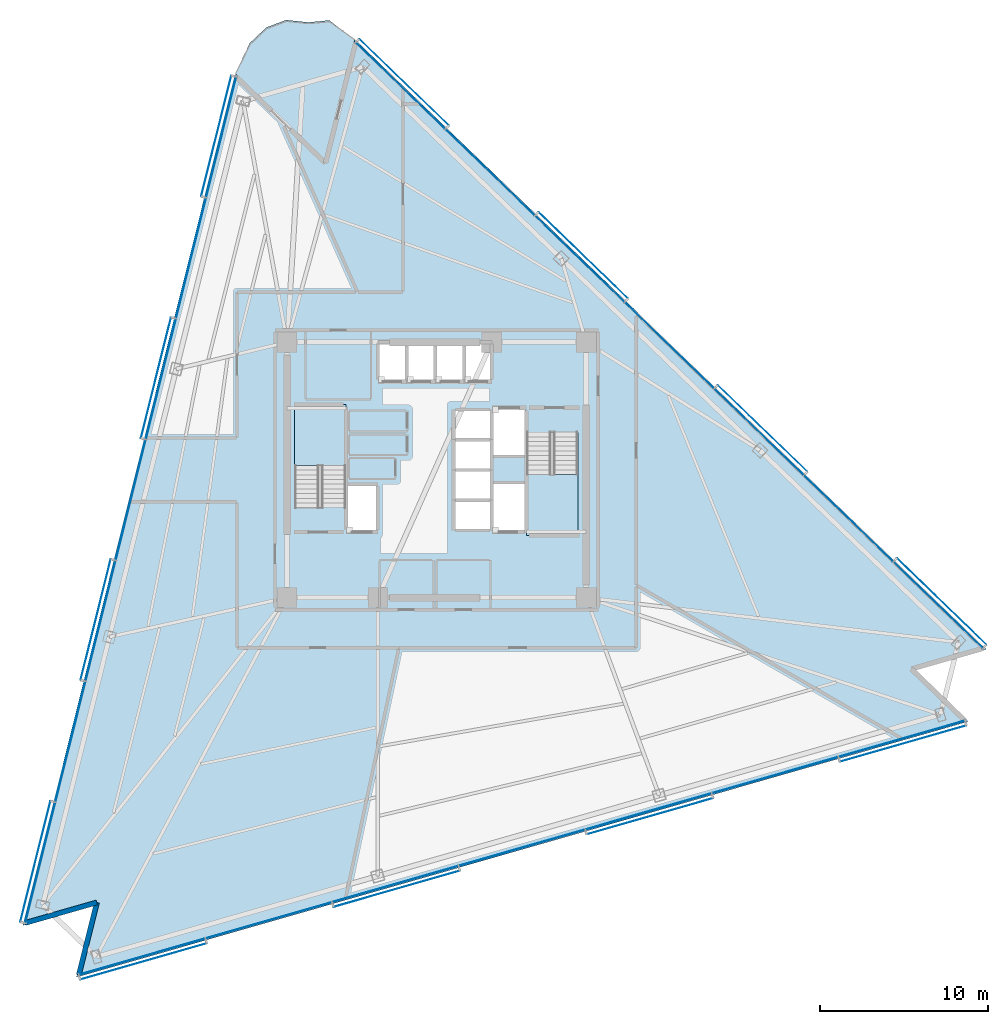
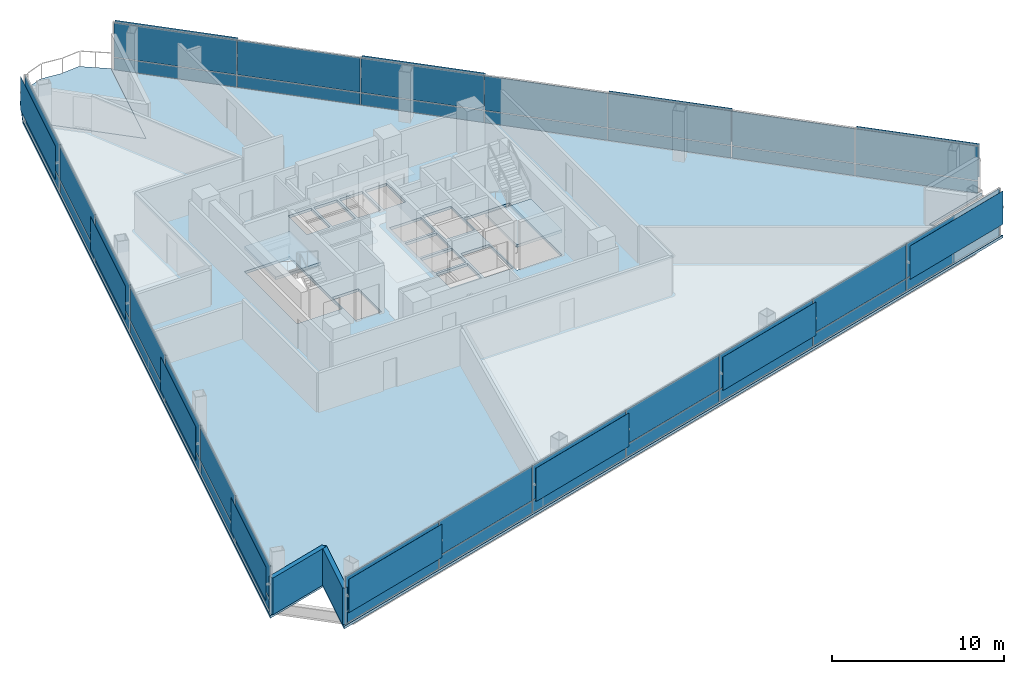
# One storey, part 8 of 16: 54 plates, 4 slabs, 2 walls, 5 elements without a shape of their own.
"""IFC4 building model written with IfcOpenShell, lengths in metres."""

from ifc_helpers import new_model, si_unit, direction, frame, frame_2d, origin, origin_2d, place, context, subcontext, project, spatial, polyline, rectangle, outline, extrude, material, layer, layer_set, type_object, element, aggregate, save


model = new_model("IFC4")

# Units and contexts
model_context = context("Model", 3, precision=1e-05, world=origin(), true_north=direction((0.0, 1.0)))
body_context = subcontext(model_context, "Body", "Model", "MODEL_VIEW")
ifc_project = project(units=[si_unit("LENGTHUNIT", "METRE"), si_unit("AREAUNIT", "SQUARE_METRE"), si_unit("VOLUMEUNIT", "CUBIC_METRE"), si_unit("PLANEANGLEUNIT", "RADIAN"), si_unit("MASSUNIT", "GRAM", prefix="KILO")], contexts=[model_context])

# Site, building, storey
site_placement = place(None, origin())
site = spatial("IfcSite", under=ifc_project, at=site_placement, CompositionType="ELEMENT")
building_placement = place(site_placement, origin())
building = spatial("IfcBuilding", under=site, at=building_placement, Name="Tharavind Bronze Gate", CompositionType="ELEMENT")
storey_placement = place(building_placement, frame((0.0, 0.0, 104.10009765625)))
storey = spatial("IfcBuildingStorey", under=building, at=storey_placement, Name="L26", CompositionType="ELEMENT", Elevation=104.10009765625)

# Plates
ifc_material_1 = material(Name="Perforated Bronze Alloy", Category="bronze")
ifc_layer_1 = layer(ifc_material_1, 0.011962890625)
ifc_layer_set_1 = layer_set([ifc_layer_1], Name="Perforated Bronze Alloy")
plate_type_1 = type_object("IfcPlateType", Name="BRONZE PERFORATED SOLAR SCREEN", PredefinedType="USERDEFINED", material=ifc_layer_set_1)
for number, where, z_axis, x_axis, name in (
    (1, (-13.11669921875, 19.86865234375, 0.96630859375), (0.0, 0.0, 1.0), (-0.2419218956, -0.970295726276, 0.0), "CW-L26-S1 perforated bronze solar screen 1"),
    (2, (-16.7041015625, 5.480712890625, 0.96630859375), (0.0, 0.0, 1.0), (-0.2419218956, -0.970295726276, 0.0), "CW-L26-S1 perforated bronze solar screen 3"),
    (3, (-20.29150390625, -8.9072265625, 0.96630859375), (0.0, 0.0, 1.0), (-0.2419218956, -0.970295726276, 0.0), "CW-L26-S1 perforated bronze solar screen 5"),
    (4, (-23.878662109375, -23.295166015625, 0.96630859375), (0.0, 0.0, 1.0), (-0.2419218956, -0.970295726276, 0.0), "CW-L26-S1 perforated bronze solar screen 7"),
):
    element("IfcPlate", number, at=place(storey_placement, frame(where, z_axis=z_axis, x_axis=x_axis)), inside=storey, type_object=plate_type_1, Name=name, ObjectType="SCREEN", PredefinedType="USERDEFINED", context=body_context, shape_type="SweptSolid", body=[
        extrude(rectangle(XDim=7.394287109375, YDim=0.011962890625, at=origin_2d()), origin(), (0.0, 0.0, 1.0), 2.376953125),
    ])
for number, where, z_axis, x_axis, name in (
    (5, (-17.447509765625, -29.251220703125, 0.96630859375), (0.0, 0.0, 1.0), (0.961261695938, 0.275637355817, 0.0), "CW-L26-S2 perforated bronze solar screen 1"),
    (6, (-2.380615234375, -24.930908203125, 0.96630859375), (0.0, 0.0, 1.0), (0.961261695938, 0.275637355817, 0.0), "CW-L26-S2 perforated bronze solar screen 3"),
    (7, (12.686279296875, -20.610595703125, 0.96630859375), (0.0, 0.0, 1.0), (0.961261695938, 0.275637355817, 0.0), "CW-L26-S2 perforated bronze solar screen 5"),
    (8, (27.75341796875, -16.290283203125, 0.96630859375), (0.0, 0.0, 1.0), (0.961261695938, 0.275637355817, 0.0), "CW-L26-S2 perforated bronze solar screen 7"),
):
    element("IfcPlate", number, at=place(storey_placement, frame(where, z_axis=z_axis, x_axis=x_axis)), inside=storey, type_object=plate_type_1, Name=name, ObjectType="SCREEN", PredefinedType="USERDEFINED", context=body_context, shape_type="SweptSolid", body=[
        extrude(rectangle(XDim=7.817138671875, YDim=0.011962890625, at=origin_2d()), origin(), (0.0, 0.0, 1.0), 2.376953125),
    ])
for number, where, z_axis, x_axis, name in (
    (9, (30.05126953125, -7.8310546875, 0.96630859375), (0.0, 0.0, 1.0), (-0.719341012745, 0.694657114973, 0.0), "CW-L26-S3 perforated bronze solar screen 1"),
    (10, (19.384521484375, 2.469482421875, 0.96630859375), (0.0, 0.0, 1.0), (-0.719341012745, 0.694657114973, 0.0), "CW-L26-S3 perforated bronze solar screen 3"),
    (11, (8.718017578125, 12.770263671875, 0.96630859375), (0.0, 0.0, 1.0), (-0.719341012745, 0.694657114973, 0.0), "CW-L26-S3 perforated bronze solar screen 5"),
    (12, (-1.94873046875, 23.07080078125, 0.96630859375), (0.0, 0.0, 1.0), (-0.719341012745, 0.694657114973, 0.0), "CW-L26-S3 perforated bronze solar screen 7"),
):
    element("IfcPlate", number, at=place(storey_placement, frame(where, z_axis=z_axis, x_axis=x_axis)), inside=storey, type_object=plate_type_1, Name=name, ObjectType="SCREEN", PredefinedType="USERDEFINED", context=body_context, shape_type="SweptSolid", body=[
        extrude(rectangle(XDim=7.394287109375, YDim=0.011962890625, at=origin_2d()), origin(), (0.0, 0.0, 1.0), 2.376953125),
    ])

# Curtain wall, plates
ifc_material_2 = material(Name="Anodised Bronze Aluminium", Category="aluminium")
ifc_layer_2 = layer(ifc_material_2, 0.219970703125)
ifc_layer_set_2 = layer_set([ifc_layer_2], Name="Anodised Bronze Aluminium")
curtain_wall_type = type_object("IfcCurtainWallType", Name="UNITISED CURTAIN WALL LOWER OFFICE", PredefinedType="USERDEFINED", material=ifc_layer_set_2)
curtain_wall_1_placement = place(storey_placement, origin())
curtain_wall_1 = element("IfcCurtainWall", 13, at=curtain_wall_1_placement, inside=storey, type_object=curtain_wall_type, Name="L26 unitised curtain wall lower office CW-L26-S1", ObjectType="UNITISED CURTAIN WALL", PredefinedType="USERDEFINED")
ifc_material_3 = material(Name="Patinated Bronze Alloy Sheet", Category="bronze")
ifc_layer_3 = layer(ifc_material_3, 0.01611328125)
ifc_layer_set_3 = layer_set([ifc_layer_3], Name="Patinated Bronze Alloy Sheet")
plate_type_2 = type_object("IfcPlateType", Name="BRONZE SPANDREL CLADDING PANEL 16", PredefinedType="CURTAIN_PANEL", material=ifc_layer_set_3)
plate_1_placement = place(storey_placement, frame((-12.83056640625, 19.797119140625, 0.0263671875), z_axis=(0.0, 0.0, 1.0), x_axis=(-0.2419218956, -0.970295726276, 0.0)))
plate_1 = element("IfcPlate", 14, at=plate_1_placement, type_object=plate_type_2, Name="CW-L26-S1 bronze spandrel panel 1", PredefinedType="CURTAIN_PANEL", context=body_context, shape_type="SweptSolid", body=[
    extrude(rectangle(XDim=7.361083984375, YDim=0.01611328125, at=origin_2d()), origin(), (0.0, 0.0, 1.0), 0.846923828125),
])
plate_2_placement = place(storey_placement, frame((-14.624267578125, 12.603271484375, 0.0263671875), z_axis=(0.0, 0.0, 1.0), x_axis=(-0.2419218956, -0.970295726276, 0.0)))
plate_2 = element("IfcPlate", 15, at=plate_2_placement, type_object=plate_type_2, Name="CW-L26-S1 bronze spandrel panel 2", PredefinedType="CURTAIN_PANEL", context=body_context, shape_type="SweptSolid", body=[
    extrude(rectangle(XDim=7.361083984375, YDim=0.01611328125, at=origin_2d()), origin(), (0.0, 0.0, 1.0), 0.846923828125),
])
plate_3_placement = place(storey_placement, frame((-16.417724609375, 5.4091796875, 0.0263671875), z_axis=(0.0, 0.0, 1.0), x_axis=(-0.2419218956, -0.970295726276, 0.0)))
plate_3 = element("IfcPlate", 16, at=plate_3_placement, type_object=plate_type_2, Name="CW-L26-S1 bronze spandrel panel 3", PredefinedType="CURTAIN_PANEL", context=body_context, shape_type="SweptSolid", body=[
    extrude(rectangle(XDim=7.361083984375, YDim=0.01611328125, at=origin_2d()), origin(), (0.0, 0.0, 1.0), 0.846923828125),
])
plate_4_placement = place(storey_placement, frame((-18.21142578125, -1.78466796875, 0.0263671875), z_axis=(0.0, 0.0, 1.0), x_axis=(-0.2419218956, -0.970295726276, 0.0)))
plate_4 = element("IfcPlate", 17, at=plate_4_placement, type_object=plate_type_2, Name="CW-L26-S1 bronze spandrel panel 4", PredefinedType="CURTAIN_PANEL", context=body_context, shape_type="SweptSolid", body=[
    extrude(rectangle(XDim=7.361083984375, YDim=0.01611328125, at=origin_2d()), origin(), (0.0, 0.0, 1.0), 0.846923828125),
])
plate_5_placement = place(storey_placement, frame((-20.005126953125, -8.978759765625, 0.0263671875), z_axis=(0.0, 0.0, 1.0), x_axis=(-0.2419218956, -0.970295726276, 0.0)))
plate_5 = element("IfcPlate", 18, at=plate_5_placement, type_object=plate_type_2, Name="CW-L26-S1 bronze spandrel panel 5", PredefinedType="CURTAIN_PANEL", context=body_context, shape_type="SweptSolid", body=[
    extrude(rectangle(XDim=7.361083984375, YDim=0.01611328125, at=origin_2d()), origin(), (0.0, 0.0, 1.0), 0.846923828125),
])
plate_6_placement = place(storey_placement, frame((-21.798828125, -16.172607421875, 0.0263671875), z_axis=(0.0, 0.0, 1.0), x_axis=(-0.2419218956, -0.970295726276, 0.0)))
plate_6 = element("IfcPlate", 19, at=plate_6_placement, type_object=plate_type_2, Name="CW-L26-S1 bronze spandrel panel 6", PredefinedType="CURTAIN_PANEL", context=body_context, shape_type="SweptSolid", body=[
    extrude(rectangle(XDim=7.361083984375, YDim=0.01611328125, at=origin_2d()), origin(), (0.0, 0.0, 1.0), 0.846923828125),
])
plate_7_placement = place(storey_placement, frame((-23.592529296875, -23.36669921875, 0.0263671875), z_axis=(0.0, 0.0, 1.0), x_axis=(-0.2419218956, -0.970295726276, 0.0)))
plate_7 = element("IfcPlate", 20, at=plate_7_placement, type_object=plate_type_2, Name="CW-L26-S1 bronze spandrel panel 7", PredefinedType="CURTAIN_PANEL", context=body_context, shape_type="SweptSolid", body=[
    extrude(rectangle(XDim=7.361083984375, YDim=0.01611328125, at=origin_2d()), origin(), (0.0, 0.0, 1.0), 0.846923828125),
])

curtain_wall_2_placement = place(storey_placement, origin())
curtain_wall_2 = element("IfcCurtainWall", 21, at=curtain_wall_2_placement, inside=storey, type_object=curtain_wall_type, Name="L26 unitised curtain wall lower office CW-L26-S2", ObjectType="UNITISED CURTAIN WALL", PredefinedType="USERDEFINED")
plate_8_placement = place(storey_placement, frame((-17.52880859375, -28.9677734375, 0.0263671875), z_axis=(0.0, 0.0, 1.0), x_axis=(0.961261695938, 0.275637355817, 0.0)))
plate_8 = element("IfcPlate", 22, at=plate_8_placement, type_object=plate_type_2, Name="CW-L26-S2 bronze spandrel panel 1", PredefinedType="CURTAIN_PANEL", context=body_context, shape_type="SweptSolid", body=[
    extrude(rectangle(XDim=7.7841796875, YDim=0.01611328125, at=origin_2d()), origin(), (0.0, 0.0, 1.0), 0.846923828125),
])
plate_9_placement = place(storey_placement, frame((-9.995361328125, -26.8076171875, 0.0263671875), z_axis=(0.0, 0.0, 1.0), x_axis=(0.961261695938, 0.275637355817, 0.0)))
plate_9 = element("IfcPlate", 23, at=plate_9_placement, type_object=plate_type_2, Name="CW-L26-S2 bronze spandrel panel 2", PredefinedType="CURTAIN_PANEL", context=body_context, shape_type="SweptSolid", body=[
    extrude(rectangle(XDim=7.7841796875, YDim=0.01611328125, at=origin_2d()), origin(), (0.0, 0.0, 1.0), 0.846923828125),
])
plate_10_placement = place(storey_placement, frame((-2.4619140625, -24.647216796875, 0.0263671875), z_axis=(0.0, 0.0, 1.0), x_axis=(0.961261695938, 0.275637355817, 0.0)))
plate_10 = element("IfcPlate", 24, at=plate_10_placement, type_object=plate_type_2, Name="CW-L26-S2 bronze spandrel panel 3", PredefinedType="CURTAIN_PANEL", context=body_context, shape_type="SweptSolid", body=[
    extrude(rectangle(XDim=7.7841796875, YDim=0.01611328125, at=origin_2d()), origin(), (0.0, 0.0, 1.0), 0.846923828125),
])
plate_11_placement = place(storey_placement, frame((5.07177734375, -22.487060546875, 0.0263671875), z_axis=(0.0, 0.0, 1.0), x_axis=(0.961261695938, 0.275637355817, 0.0)))
plate_11 = element("IfcPlate", 25, at=plate_11_placement, type_object=plate_type_2, Name="CW-L26-S2 bronze spandrel panel 4", PredefinedType="CURTAIN_PANEL", context=body_context, shape_type="SweptSolid", body=[
    extrude(rectangle(XDim=7.7841796875, YDim=0.01611328125, at=origin_2d()), origin(), (0.0, 0.0, 1.0), 0.846923828125),
])
plate_12_placement = place(storey_placement, frame((12.60498046875, -20.326904296875, 0.0263671875), z_axis=(0.0, 0.0, 1.0), x_axis=(0.961261695938, 0.275637355817, 0.0)))
plate_12 = element("IfcPlate", 26, at=plate_12_placement, type_object=plate_type_2, Name="CW-L26-S2 bronze spandrel panel 5", PredefinedType="CURTAIN_PANEL", context=body_context, shape_type="SweptSolid", body=[
    extrude(rectangle(XDim=7.7841796875, YDim=0.01611328125, at=origin_2d()), origin(), (0.0, 0.0, 1.0), 0.846923828125),
])
plate_13_placement = place(storey_placement, frame((20.138671875, -18.166748046875, 0.0263671875), z_axis=(0.0, 0.0, 1.0), x_axis=(0.961261695938, 0.275637355817, 0.0)))
plate_13 = element("IfcPlate", 27, at=plate_13_placement, type_object=plate_type_2, Name="CW-L26-S2 bronze spandrel panel 6", PredefinedType="CURTAIN_PANEL", context=body_context, shape_type="SweptSolid", body=[
    extrude(rectangle(XDim=7.7841796875, YDim=0.01611328125, at=origin_2d()), origin(), (0.0, 0.0, 1.0), 0.846923828125),
])
plate_14_placement = place(storey_placement, frame((27.672119140625, -16.006591796875, 0.0263671875), z_axis=(0.0, 0.0, 1.0), x_axis=(0.961261695938, 0.275637355817, 0.0)))
plate_14 = element("IfcPlate", 28, at=plate_14_placement, type_object=plate_type_2, Name="CW-L26-S2 bronze spandrel panel 7", PredefinedType="CURTAIN_PANEL", context=body_context, shape_type="SweptSolid", body=[
    extrude(rectangle(XDim=7.7841796875, YDim=0.01611328125, at=origin_2d()), origin(), (0.0, 0.0, 1.0), 0.846923828125),
])

curtain_wall_3_placement = place(storey_placement, origin())
curtain_wall_3 = element("IfcCurtainWall", 29, at=curtain_wall_3_placement, inside=storey, type_object=curtain_wall_type, Name="L26 unitised curtain wall lower office CW-L26-S3", ObjectType="UNITISED CURTAIN WALL", PredefinedType="USERDEFINED")
plate_15_placement = place(storey_placement, frame((29.84619140625, -8.043212890625, 0.0263671875), z_axis=(0.0, 0.0, 1.0), x_axis=(-0.719341012745, 0.694657114973, 0.0)))
plate_15 = element("IfcPlate", 30, at=plate_15_placement, type_object=plate_type_2, Name="CW-L26-S3 bronze spandrel panel 1", PredefinedType="CURTAIN_PANEL", context=body_context, shape_type="SweptSolid", body=[
    extrude(rectangle(XDim=7.361083984375, YDim=0.01611328125, at=origin_2d()), origin(), (0.0, 0.0, 1.0), 0.846923828125),
])
plate_16_placement = place(storey_placement, frame((24.512939453125, -2.892822265625, 0.0263671875), z_axis=(0.0, 0.0, 1.0), x_axis=(-0.719341012745, 0.694657114973, 0.0)))
plate_16 = element("IfcPlate", 31, at=plate_16_placement, type_object=plate_type_2, Name="CW-L26-S3 bronze spandrel panel 2", PredefinedType="CURTAIN_PANEL", context=body_context, shape_type="SweptSolid", body=[
    extrude(rectangle(XDim=7.361083984375, YDim=0.01611328125, at=origin_2d()), origin(), (0.0, 0.0, 1.0), 0.846923828125),
])
plate_17_placement = place(storey_placement, frame((19.1796875, 2.25732421875, 0.0263671875), z_axis=(0.0, 0.0, 1.0), x_axis=(-0.719341012745, 0.694657114973, 0.0)))
plate_17 = element("IfcPlate", 32, at=plate_17_placement, type_object=plate_type_2, Name="CW-L26-S3 bronze spandrel panel 3", PredefinedType="CURTAIN_PANEL", context=body_context, shape_type="SweptSolid", body=[
    extrude(rectangle(XDim=7.361083984375, YDim=0.01611328125, at=origin_2d()), origin(), (0.0, 0.0, 1.0), 0.846923828125),
])
plate_18_placement = place(storey_placement, frame((13.84619140625, 7.40771484375, 0.0263671875), z_axis=(0.0, 0.0, 1.0), x_axis=(-0.719341012745, 0.694657114973, 0.0)))
plate_18 = element("IfcPlate", 33, at=plate_18_placement, type_object=plate_type_2, Name="CW-L26-S3 bronze spandrel panel 4", PredefinedType="CURTAIN_PANEL", context=body_context, shape_type="SweptSolid", body=[
    extrude(rectangle(XDim=7.361083984375, YDim=0.01611328125, at=origin_2d()), origin(), (0.0, 0.0, 1.0), 0.846923828125),
])
plate_19_placement = place(storey_placement, frame((8.512939453125, 12.55810546875, 0.0263671875), z_axis=(0.0, 0.0, 1.0), x_axis=(-0.719341012745, 0.694657114973, 0.0)))
plate_19 = element("IfcPlate", 34, at=plate_19_placement, type_object=plate_type_2, Name="CW-L26-S3 bronze spandrel panel 5", PredefinedType="CURTAIN_PANEL", context=body_context, shape_type="SweptSolid", body=[
    extrude(rectangle(XDim=7.361083984375, YDim=0.01611328125, at=origin_2d()), origin(), (0.0, 0.0, 1.0), 0.846923828125),
])
plate_20_placement = place(storey_placement, frame((3.1796875, 17.70849609375, 0.0263671875), z_axis=(0.0, 0.0, 1.0), x_axis=(-0.719341012745, 0.694657114973, 0.0)))
plate_20 = element("IfcPlate", 35, at=plate_20_placement, type_object=plate_type_2, Name="CW-L26-S3 bronze spandrel panel 6", PredefinedType="CURTAIN_PANEL", context=body_context, shape_type="SweptSolid", body=[
    extrude(rectangle(XDim=7.361083984375, YDim=0.01611328125, at=origin_2d()), origin(), (0.0, 0.0, 1.0), 0.846923828125),
])
plate_21_placement = place(storey_placement, frame((-2.15380859375, 22.858642578125, 0.0263671875), z_axis=(0.0, 0.0, 1.0), x_axis=(-0.719341012745, 0.694657114973, 0.0)))
plate_21 = element("IfcPlate", 36, at=plate_21_placement, type_object=plate_type_2, Name="CW-L26-S3 bronze spandrel panel 7", PredefinedType="CURTAIN_PANEL", context=body_context, shape_type="SweptSolid", body=[
    extrude(rectangle(XDim=7.361083984375, YDim=0.01611328125, at=origin_2d()), origin(), (0.0, 0.0, 1.0), 0.846923828125),
])

# Plate
ifc_material_4 = material(Name="Low-E Double Glazing", Category="glass")
ifc_layer_4 = layer(ifc_material_4, 0.031982421875)
ifc_layer_set_4 = layer_set([ifc_layer_4], Name="Low-E Double Glazing")
plate_type_3 = type_object("IfcPlateType", Name="DOUBLE GLAZED FACADE PANEL 32", PredefinedType="CURTAIN_PANEL", material=ifc_layer_set_4)
plate_22_placement = place(storey_placement, frame((-12.83056640625, 19.797119140625, 0.92626953125), z_axis=(0.0, 0.0, 1.0), x_axis=(-0.2419218956, -0.970295726276, 0.0)))
plate_22 = element("IfcPlate", 37, at=plate_22_placement, type_object=plate_type_3, Name="CW-L26-S1 vision glazing panel 1", PredefinedType="CURTAIN_PANEL", context=body_context, shape_type="SweptSolid", body=[
    extrude(rectangle(XDim=7.361083984375, YDim=0.031982421875, at=origin_2d()), origin(), (0.0, 0.0, 1.0), 2.45703125),
])

plate_23_placement = place(storey_placement, frame((-14.624267578125, 12.603271484375, 0.92626953125), z_axis=(0.0, 0.0, 1.0), x_axis=(-0.2419218956, -0.970295726276, 0.0)))
plate_23 = element("IfcPlate", 38, at=plate_23_placement, type_object=plate_type_3, Name="CW-L26-S1 vision glazing panel 2", PredefinedType="CURTAIN_PANEL", context=body_context, shape_type="SweptSolid", body=[
    extrude(rectangle(XDim=7.361083984375, YDim=0.031982421875, at=origin_2d()), origin(), (0.0, 0.0, 1.0), 2.45703125),
])

plate_24_placement = place(storey_placement, frame((-16.417724609375, 5.4091796875, 0.92626953125), z_axis=(0.0, 0.0, 1.0), x_axis=(-0.2419218956, -0.970295726276, 0.0)))
plate_24 = element("IfcPlate", 39, at=plate_24_placement, type_object=plate_type_3, Name="CW-L26-S1 vision glazing panel 3", PredefinedType="CURTAIN_PANEL", context=body_context, shape_type="SweptSolid", body=[
    extrude(rectangle(XDim=7.361083984375, YDim=0.031982421875, at=origin_2d()), origin(), (0.0, 0.0, 1.0), 2.45703125),
])

plate_25_placement = place(storey_placement, frame((-18.21142578125, -1.78466796875, 0.92626953125), z_axis=(0.0, 0.0, 1.0), x_axis=(-0.2419218956, -0.970295726276, 0.0)))
plate_25 = element("IfcPlate", 40, at=plate_25_placement, type_object=plate_type_3, Name="CW-L26-S1 vision glazing panel 4", PredefinedType="CURTAIN_PANEL", context=body_context, shape_type="SweptSolid", body=[
    extrude(rectangle(XDim=7.361083984375, YDim=0.031982421875, at=origin_2d()), origin(), (0.0, 0.0, 1.0), 2.45703125),
])

plate_26_placement = place(storey_placement, frame((-20.005126953125, -8.978759765625, 0.92626953125), z_axis=(0.0, 0.0, 1.0), x_axis=(-0.2419218956, -0.970295726276, 0.0)))
plate_26 = element("IfcPlate", 41, at=plate_26_placement, type_object=plate_type_3, Name="CW-L26-S1 vision glazing panel 5", PredefinedType="CURTAIN_PANEL", context=body_context, shape_type="SweptSolid", body=[
    extrude(rectangle(XDim=7.361083984375, YDim=0.031982421875, at=origin_2d()), origin(), (0.0, 0.0, 1.0), 2.45703125),
])

plate_27_placement = place(storey_placement, frame((-21.798828125, -16.172607421875, 0.92626953125), z_axis=(0.0, 0.0, 1.0), x_axis=(-0.2419218956, -0.970295726276, 0.0)))
plate_27 = element("IfcPlate", 42, at=plate_27_placement, type_object=plate_type_3, Name="CW-L26-S1 vision glazing panel 6", PredefinedType="CURTAIN_PANEL", context=body_context, shape_type="SweptSolid", body=[
    extrude(rectangle(XDim=7.361083984375, YDim=0.031982421875, at=origin_2d()), origin(), (0.0, 0.0, 1.0), 2.45703125),
])

plate_28_placement = place(storey_placement, frame((-23.592529296875, -23.36669921875, 0.92626953125), z_axis=(0.0, 0.0, 1.0), x_axis=(-0.2419218956, -0.970295726276, 0.0)))
plate_28 = element("IfcPlate", 43, at=plate_28_placement, type_object=plate_type_3, Name="CW-L26-S1 vision glazing panel 7", PredefinedType="CURTAIN_PANEL", context=body_context, shape_type="SweptSolid", body=[
    extrude(rectangle(XDim=7.361083984375, YDim=0.031982421875, at=origin_2d()), origin(), (0.0, 0.0, 1.0), 2.45703125),
])

aggregate(curtain_wall_1, [plate_1, plate_22, plate_2, plate_23, plate_3, plate_24, plate_4, plate_25, plate_5, plate_26, plate_6, plate_27, plate_7, plate_28])

plate_29_placement = place(storey_placement, frame((-17.52880859375, -28.9677734375, 0.92626953125), z_axis=(0.0, 0.0, 1.0), x_axis=(0.961261695938, 0.275637355817, 0.0)))
plate_29 = element("IfcPlate", 44, at=plate_29_placement, type_object=plate_type_3, Name="CW-L26-S2 vision glazing panel 1", PredefinedType="CURTAIN_PANEL", context=body_context, shape_type="SweptSolid", body=[
    extrude(rectangle(XDim=7.7841796875, YDim=0.031982421875, at=origin_2d()), origin(), (0.0, 0.0, 1.0), 2.45703125),
])

plate_30_placement = place(storey_placement, frame((-9.995361328125, -26.8076171875, 0.92626953125), z_axis=(0.0, 0.0, 1.0), x_axis=(0.961261695938, 0.275637355817, 0.0)))
plate_30 = element("IfcPlate", 45, at=plate_30_placement, type_object=plate_type_3, Name="CW-L26-S2 vision glazing panel 2", PredefinedType="CURTAIN_PANEL", context=body_context, shape_type="SweptSolid", body=[
    extrude(rectangle(XDim=7.7841796875, YDim=0.031982421875, at=origin_2d()), origin(), (0.0, 0.0, 1.0), 2.45703125),
])

plate_31_placement = place(storey_placement, frame((-2.4619140625, -24.647216796875, 0.92626953125), z_axis=(0.0, 0.0, 1.0), x_axis=(0.961261695938, 0.275637355817, 0.0)))
plate_31 = element("IfcPlate", 46, at=plate_31_placement, type_object=plate_type_3, Name="CW-L26-S2 vision glazing panel 3", PredefinedType="CURTAIN_PANEL", context=body_context, shape_type="SweptSolid", body=[
    extrude(rectangle(XDim=7.7841796875, YDim=0.031982421875, at=origin_2d()), origin(), (0.0, 0.0, 1.0), 2.45703125),
])

plate_32_placement = place(storey_placement, frame((5.07177734375, -22.487060546875, 0.92626953125), z_axis=(0.0, 0.0, 1.0), x_axis=(0.961261695938, 0.275637355817, 0.0)))
plate_32 = element("IfcPlate", 47, at=plate_32_placement, type_object=plate_type_3, Name="CW-L26-S2 vision glazing panel 4", PredefinedType="CURTAIN_PANEL", context=body_context, shape_type="SweptSolid", body=[
    extrude(rectangle(XDim=7.7841796875, YDim=0.031982421875, at=origin_2d()), origin(), (0.0, 0.0, 1.0), 2.45703125),
])

plate_33_placement = place(storey_placement, frame((12.60498046875, -20.326904296875, 0.92626953125), z_axis=(0.0, 0.0, 1.0), x_axis=(0.961261695938, 0.275637355817, 0.0)))
plate_33 = element("IfcPlate", 48, at=plate_33_placement, type_object=plate_type_3, Name="CW-L26-S2 vision glazing panel 5", PredefinedType="CURTAIN_PANEL", context=body_context, shape_type="SweptSolid", body=[
    extrude(rectangle(XDim=7.7841796875, YDim=0.031982421875, at=origin_2d()), origin(), (0.0, 0.0, 1.0), 2.45703125),
])

plate_34_placement = place(storey_placement, frame((20.138671875, -18.166748046875, 0.92626953125), z_axis=(0.0, 0.0, 1.0), x_axis=(0.961261695938, 0.275637355817, 0.0)))
plate_34 = element("IfcPlate", 49, at=plate_34_placement, type_object=plate_type_3, Name="CW-L26-S2 vision glazing panel 6", PredefinedType="CURTAIN_PANEL", context=body_context, shape_type="SweptSolid", body=[
    extrude(rectangle(XDim=7.7841796875, YDim=0.031982421875, at=origin_2d()), origin(), (0.0, 0.0, 1.0), 2.45703125),
])

plate_35_placement = place(storey_placement, frame((27.672119140625, -16.006591796875, 0.92626953125), z_axis=(0.0, 0.0, 1.0), x_axis=(0.961261695938, 0.275637355817, 0.0)))
plate_35 = element("IfcPlate", 50, at=plate_35_placement, type_object=plate_type_3, Name="CW-L26-S2 vision glazing panel 7", PredefinedType="CURTAIN_PANEL", context=body_context, shape_type="SweptSolid", body=[
    extrude(rectangle(XDim=7.7841796875, YDim=0.031982421875, at=origin_2d()), origin(), (0.0, 0.0, 1.0), 2.45703125),
])

aggregate(curtain_wall_2, [plate_8, plate_29, plate_9, plate_30, plate_10, plate_31, plate_11, plate_32, plate_12, plate_33, plate_13, plate_34, plate_14, plate_35])

plate_36_placement = place(storey_placement, frame((29.84619140625, -8.043212890625, 0.92626953125), z_axis=(0.0, 0.0, 1.0), x_axis=(-0.719341012745, 0.694657114973, 0.0)))
plate_36 = element("IfcPlate", 51, at=plate_36_placement, type_object=plate_type_3, Name="CW-L26-S3 vision glazing panel 1", PredefinedType="CURTAIN_PANEL", context=body_context, shape_type="SweptSolid", body=[
    extrude(rectangle(XDim=7.361083984375, YDim=0.031982421875, at=origin_2d()), origin(), (0.0, 0.0, 1.0), 2.45703125),
])

plate_37_placement = place(storey_placement, frame((24.512939453125, -2.892822265625, 0.92626953125), z_axis=(0.0, 0.0, 1.0), x_axis=(-0.719341012745, 0.694657114973, 0.0)))
plate_37 = element("IfcPlate", 52, at=plate_37_placement, type_object=plate_type_3, Name="CW-L26-S3 vision glazing panel 2", PredefinedType="CURTAIN_PANEL", context=body_context, shape_type="SweptSolid", body=[
    extrude(rectangle(XDim=7.361083984375, YDim=0.031982421875, at=origin_2d()), origin(), (0.0, 0.0, 1.0), 2.45703125),
])

plate_38_placement = place(storey_placement, frame((19.1796875, 2.25732421875, 0.92626953125), z_axis=(0.0, 0.0, 1.0), x_axis=(-0.719341012745, 0.694657114973, 0.0)))
plate_38 = element("IfcPlate", 53, at=plate_38_placement, type_object=plate_type_3, Name="CW-L26-S3 vision glazing panel 3", PredefinedType="CURTAIN_PANEL", context=body_context, shape_type="SweptSolid", body=[
    extrude(rectangle(XDim=7.361083984375, YDim=0.031982421875, at=origin_2d()), origin(), (0.0, 0.0, 1.0), 2.45703125),
])

plate_39_placement = place(storey_placement, frame((13.84619140625, 7.40771484375, 0.92626953125), z_axis=(0.0, 0.0, 1.0), x_axis=(-0.719341012745, 0.694657114973, 0.0)))
plate_39 = element("IfcPlate", 54, at=plate_39_placement, type_object=plate_type_3, Name="CW-L26-S3 vision glazing panel 4", PredefinedType="CURTAIN_PANEL", context=body_context, shape_type="SweptSolid", body=[
    extrude(rectangle(XDim=7.361083984375, YDim=0.031982421875, at=origin_2d()), origin(), (0.0, 0.0, 1.0), 2.45703125),
])

plate_40_placement = place(storey_placement, frame((8.512939453125, 12.55810546875, 0.92626953125), z_axis=(0.0, 0.0, 1.0), x_axis=(-0.719341012745, 0.694657114973, 0.0)))
plate_40 = element("IfcPlate", 55, at=plate_40_placement, type_object=plate_type_3, Name="CW-L26-S3 vision glazing panel 5", PredefinedType="CURTAIN_PANEL", context=body_context, shape_type="SweptSolid", body=[
    extrude(rectangle(XDim=7.361083984375, YDim=0.031982421875, at=origin_2d()), origin(), (0.0, 0.0, 1.0), 2.45703125),
])

plate_41_placement = place(storey_placement, frame((3.1796875, 17.70849609375, 0.92626953125), z_axis=(0.0, 0.0, 1.0), x_axis=(-0.719341012745, 0.694657114973, 0.0)))
plate_41 = element("IfcPlate", 56, at=plate_41_placement, type_object=plate_type_3, Name="CW-L26-S3 vision glazing panel 6", PredefinedType="CURTAIN_PANEL", context=body_context, shape_type="SweptSolid", body=[
    extrude(rectangle(XDim=7.361083984375, YDim=0.031982421875, at=origin_2d()), origin(), (0.0, 0.0, 1.0), 2.45703125),
])

plate_42_placement = place(storey_placement, frame((-2.15380859375, 22.858642578125, 0.92626953125), z_axis=(0.0, 0.0, 1.0), x_axis=(-0.719341012745, 0.694657114973, 0.0)))
plate_42 = element("IfcPlate", 57, at=plate_42_placement, type_object=plate_type_3, Name="CW-L26-S3 vision glazing panel 7", PredefinedType="CURTAIN_PANEL", context=body_context, shape_type="SweptSolid", body=[
    extrude(rectangle(XDim=7.361083984375, YDim=0.031982421875, at=origin_2d()), origin(), (0.0, 0.0, 1.0), 2.45703125),
])

aggregate(curtain_wall_3, [plate_15, plate_36, plate_16, plate_37, plate_17, plate_38, plate_18, plate_39, plate_19, plate_40, plate_20, plate_41, plate_21, plate_42])

# Slab
ifc_material_5 = material(Name="Concrete C40/50", Category="concrete")
ifc_layer_5 = layer(ifc_material_5, 0.179931640625)
ifc_layer_set_5 = layer_set([ifc_layer_5], Name="Concrete C40/50")
slab_type_1 = type_object("IfcSlabType", Name="EXTERIOR BALCONY SLAB 180", PredefinedType="FLOOR", material=ifc_layer_set_5)
slab_1_placement = place(storey_placement, frame((0.0, 0.0, -0.18017578125)))
element("IfcSlab", 58, at=slab_1_placement, inside=storey, type_object=slab_type_1, Name="L26 northeast tree balcony slab", PredefinedType="FLOOR", context=body_context, shape_type="SweptSolid", body=[
    extrude(outline(polyline([(-6.388427734375, 26.752685546875), (-7.6376953125, 26.63525390625), (-8.960693359375, 26.7744140625), (-10.118896484375, 26.33935546875), (-11.130615234375, 25.39306640625), (-11.98876953125, 23.58642578125), (-6.665771484375, 18.446044921875), (-4.87548828125, 25.626220703125), (-6.388427734375, 26.752685546875)])), origin(), (0.0, 0.0, 1.0), 0.18017578125),
])

# Stair, slab
stair_type = type_object("IfcStairType", Name="CORE HALF TURN STAIR 1450", PredefinedType="HALF_TURN_STAIR", material=ifc_material_5)
stair_1_placement = place(storey_placement, origin())
stair_1 = element("IfcStair", 59, at=stair_1_placement, inside=storey, type_object=stair_type, Name="L26 Protected Exit Stair ST1", PredefinedType="HALF_TURN_STAIR")
ifc_layer_6 = layer(ifc_material_5, 0.199951171875)
ifc_layer_set_6 = layer_set([ifc_layer_6], Name="Concrete C40/50")
slab_type_2 = type_object("IfcSlabType", Name="STAIR LANDING SLAB 200", PredefinedType="LANDING", material=ifc_layer_set_6)
slab_2_placement = place(storey_placement, frame((0.0, 0.0, 1.599853515625)))
slab_2 = element("IfcSlab", 60, at=slab_2_placement, type_object=slab_type_2, Name="ST1 landing 1", PredefinedType="LANDING", context=body_context, shape_type="SweptSolid", body=[
    extrude(outline(polyline([(-5.39990234375, 0.27001953125), (-5.39990234375, 3.89990234375), (-8.449951171875, 3.89990234375), (-8.449951171875, 0.27001953125), (-5.39990234375, 0.27001953125)])), origin(), (0.0, 0.0, 1.0), 0.199951171875),
])
aggregate(stair_1, [slab_2])

stair_2_placement = place(storey_placement, origin())
stair_2 = element("IfcStair", 61, at=stair_2_placement, inside=storey, type_object=stair_type, Name="L26 Protected Exit Stair ST2", PredefinedType="HALF_TURN_STAIR")
slab_3_placement = place(storey_placement, frame((0.0, 0.0, 1.599853515625)))
slab_3 = element("IfcSlab", 62, at=slab_3_placement, type_object=slab_type_2, Name="ST2 landing 1", PredefinedType="LANDING", context=body_context, shape_type="SweptSolid", body=[
    extrude(outline(polyline([(5.35009765625, -0.27001953125), (5.35009765625, -3.89990234375), (8.39990234375, -3.89990234375), (8.39990234375, -0.27001953125), (5.35009765625, -0.27001953125)])), origin(), (0.0, 0.0, 1.0), 0.199951171875),
])
aggregate(stair_2, [slab_3])

# Slab
ifc_layer_7 = layer(ifc_material_5, 0.18994140625)
ifc_layer_set_7 = layer_set([ifc_layer_7], Name="Concrete C40/50")
slab_type_3 = type_object("IfcSlabType", Name="STRUCTURAL FLOOR SLAB 190", PredefinedType="FLOOR", material=ifc_layer_set_7)
slab_4_placement = place(storey_placement, frame((0.0, 0.0, -0.190185546875)))
element("IfcSlab", 63, at=slab_4_placement, inside=storey, type_object=slab_type_3, Name="L26 main structural floor slab", PredefinedType="FLOOR", context=body_context, shape_type="SweptSolid", body=[
    extrude(outline(polyline([(-4.87548828125, 25.626220703125), (-6.665771484375, 18.446044921875), (-11.98876953125, 23.58642578125), (-24.628173828125, -27.107421875), (-20.360107421875, -25.883544921875), (-21.434326171875, -30.191650390625), (31.6328125, -14.974853515625), (28.439208984375, -11.890625), (32.70703125, -10.666748046875), (-4.87548828125, 25.626220703125)]), holes=[polyline([(-5.39990234375, -2.215087890625), (-5.39990234375, 3.89990234375), (-8.449951171875, 3.89990234375), (-8.449951171875, -2.215087890625), (-5.39990234375, -2.215087890625)]), polyline([(5.35009765625, 2.215087890625), (5.35009765625, -3.89990234375), (8.39990234375, -3.89990234375), (8.39990234375, 2.215087890625), (5.35009765625, 2.215087890625)]), polyline([(-3.419921875, 5.330078125), (-1.867431640625, 5.330078125), (-1.867431640625, 7.52001953125), (-3.419921875, 7.52001953125), (-3.419921875, 5.330078125)]), polyline([(-1.70751953125, 5.330078125), (-0.155029296875, 5.330078125), (-0.155029296875, 7.52001953125), (-1.70751953125, 7.52001953125), (-1.70751953125, 5.330078125)]), polyline([(0.0048828125, 5.330078125), (1.5576171875, 5.330078125), (1.5576171875, 7.52001953125), (0.0048828125, 7.52001953125), (0.0048828125, 5.330078125)]), polyline([(1.717529296875, 5.330078125), (3.199951171875, 5.330078125), (3.199951171875, 7.52001953125), (1.717529296875, 7.52001953125), (1.717529296875, 5.330078125)]), polyline([(1.080078125, -3.52001953125), (3.199951171875, -3.52001953125), (3.199951171875, -1.8798828125), (1.080078125, -1.8798828125), (1.080078125, -3.52001953125)]), polyline([(1.080078125, -1.719970703125), (3.199951171875, -1.719970703125), (3.199951171875, -0.080078125), (1.080078125, -0.080078125), (1.080078125, -1.719970703125)]), polyline([(1.080078125, 0.080078125), (3.199951171875, 0.080078125), (3.199951171875, 1.719970703125), (1.080078125, 1.719970703125), (1.080078125, 0.080078125)]), polyline([(1.080078125, 1.8798828125), (3.199951171875, 1.8798828125), (3.199951171875, 3.52001953125), (1.080078125, 3.52001953125), (1.080078125, 1.8798828125)]), polyline([(-5.320068359375, -3.6201171875), (-3.580078125, -3.6201171875), (-3.580078125, -0.929931640625), (-5.320068359375, -0.929931640625), (-5.320068359375, -3.6201171875)]), polyline([(3.360107421875, 0.8798828125), (5.27001953125, 0.8798828125), (5.27001953125, 3.6201171875), (3.360107421875, 3.6201171875), (3.360107421875, 0.8798828125)]), polyline([(3.360107421875, -3.6201171875), (5.27001953125, -3.6201171875), (5.27001953125, -0.830078125), (3.360107421875, -0.830078125), (3.360107421875, -3.6201171875)])]), origin(), (0.0, 0.0, 1.0), 0.190185546875),
])

# Walls
ifc_layer_8 = layer(ifc_material_5, 0.300048828125)
ifc_layer_set_8 = layer_set([ifc_layer_8], Name="Concrete C40/50")
wall_type = type_object("IfcWallType", Name="EXTERIOR SPANDREL WALL 300", PredefinedType="STANDARD", material=ifc_layer_set_8)
wall_1_placement = place(storey_placement, frame((-24.4892578125, -26.963623046875, 0.0), z_axis=(0.0, 0.0, 1.0), x_axis=(0.961259988927, 0.275643308803, 0.0)))
element("IfcWall", 64, at=wall_1_placement, inside=storey, type_object=wall_type, Name="L26 notch cheek wall 2A", PredefinedType="STANDARD", context=body_context, shape_type="SweptSolid", body=[
    extrude(rectangle(XDim=4.440185546875, YDim=0.300048828125, at=frame_2d((2.22021484375, 0.0))), origin(), (0.0, 0.0, 1.0), 2.60498046875),
])
wall_2_placement = place(storey_placement, frame((-20.22119140625, -25.73974609375, 0.0), z_axis=(0.0, 0.0, 1.0), x_axis=(-0.241940431812, -0.970291104491, 0.0)))
element("IfcWall", 65, at=wall_2_placement, inside=storey, type_object=wall_type, Name="L26 notch cheek wall 2B", PredefinedType="STANDARD", context=body_context, shape_type="SweptSolid", body=[
    extrude(rectangle(XDim=4.43994140625, YDim=0.300048828125, at=frame_2d((2.219970703125, 0.0))), origin(), (0.0, 0.0, 1.0), 2.60498046875),
])

save(model, "model.ifc")
